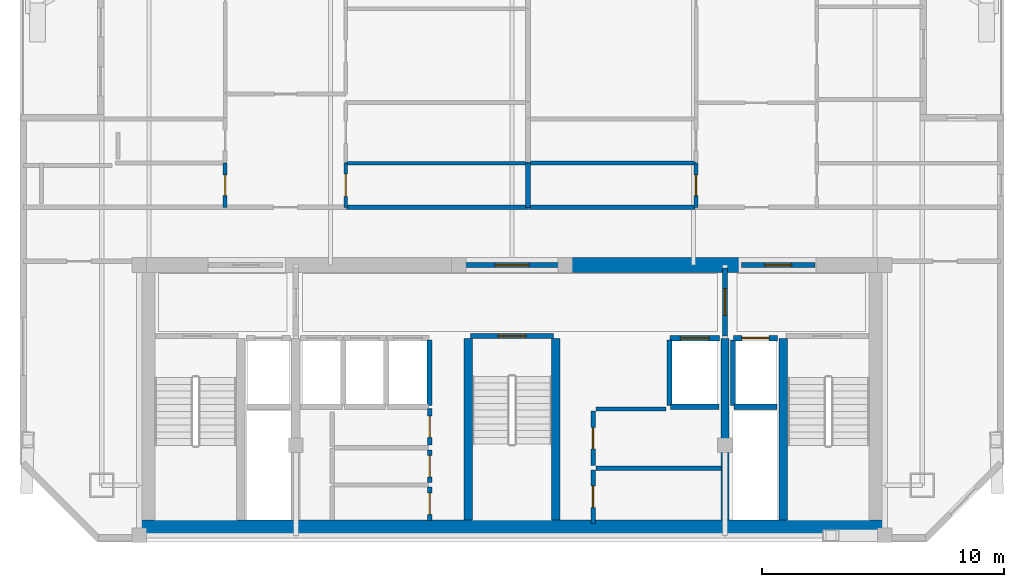
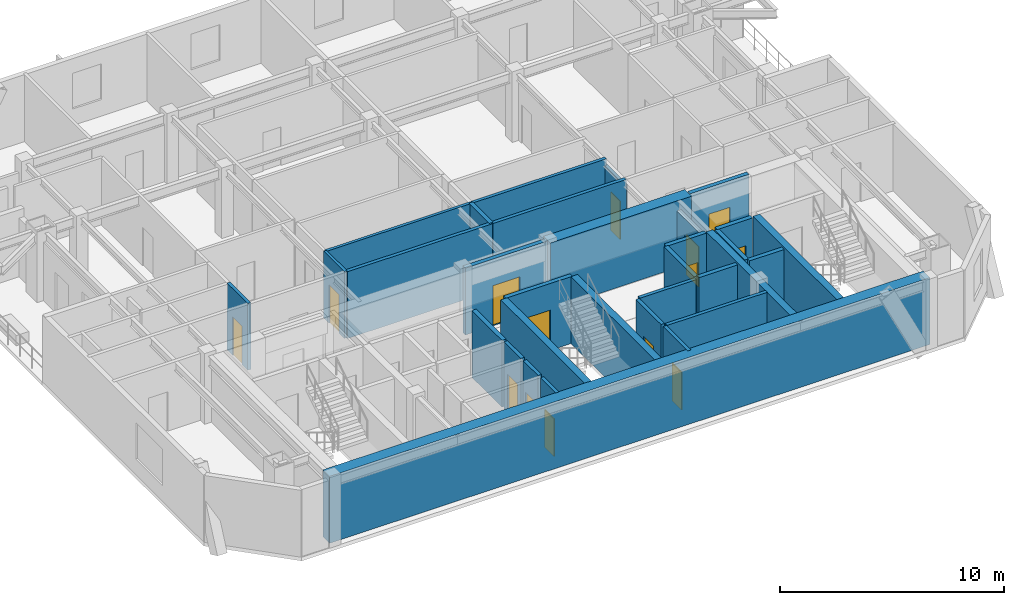
# One storey, part 3 of 8: 32 walls, 14 doors, 14 openings.
"""IFC4 building model written with IfcOpenShell, lengths in metres."""

import ifcopenshell
import ifcopenshell.guid

model = None  # the IFC model being written
_history = None  # IfcOwnerHistory: only IFC2X3 demands one
_inside = {}  # id of a spatial element -> (the spatial element, [elements in it])
_under = {}  # id of a project, library or spatial element -> (it, [spatial elements below it])
_declared = {}  # id of a project -> (the project, [libraries it declares])
_typed = {}  # id of a type object -> (the type object, [elements of that type])
_made_of = {}  # id of a material, layer set ... -> (it, [elements and type objects made of it])


def new_model(schema):
    """Start an empty IFC model of exactly this schema.

    Asked for "IFC4X3", IfcOpenShell would pick the latest addendum, in which some entities
    have other attributes; the version numbers below select the first issue.
    IFC2X3 requires an IfcOwnerHistory on every rooted entity: one is made here for all.
    """
    global model, _history
    if schema == "IFC4X3":
        model = ifcopenshell.file(schema_version=(4, 3, 0, 0))
    else:
        model = ifcopenshell.file(schema=schema)
    _inside.clear()
    _under.clear()
    _declared.clear()
    _typed.clear()
    _made_of.clear()
    _history = None
    if model.schema == "IFC2X3":
        org = make("IfcOrganization", Name="unknown")
        user = make(
            "IfcPersonAndOrganization",
            ThePerson=make("IfcPerson", FamilyName="unknown"),
            TheOrganization=org,
        )
        app = make(
            "IfcApplication",
            ApplicationDeveloper=org,
            Version="unknown",
            ApplicationFullName="unknown",
            ApplicationIdentifier="unknown",
        )
        _history = make(
            "IfcOwnerHistory",
            OwningUser=user,
            OwningApplication=app,
            ChangeAction="ADDED",
            CreationDate=0,
        )
    return model


def make(cls, **values):
    """One entity of the class cls with the attributes given. An attribute that is None is left unset."""
    return model.create_entity(
        cls, **{name: value for name, value in values.items() if value is not None}
    )


def rooted(cls, **values):
    """An entity with a GlobalId (a new one), such as an element, a storey or a relation."""
    return make(cls, GlobalId=ifcopenshell.guid.new(), OwnerHistory=_history, **values)


def si_unit(unit_type, name, prefix=None):
    """IfcSIUnit, for example si_unit("LENGTHUNIT", "METRE", prefix="MILLI")."""
    return make("IfcSIUnit", UnitType=unit_type, Prefix=prefix, Name=name)


def assignment(units):
    """IfcUnitAssignment: the units of a project."""
    return None if units is None else make("IfcUnitAssignment", Units=units)


def point(xyz):
    """IfcCartesianPoint."""
    return None if xyz is None else make("IfcCartesianPoint", Coordinates=xyz)


def direction(xyz):
    """IfcDirection."""
    return None if xyz is None else make("IfcDirection", DirectionRatios=xyz)


def frame(location, z_axis=None, x_axis=None):
    """IfcAxis2Placement3D, a coordinate frame: its origin and axes. An axis left out is left unset."""
    return make(
        "IfcAxis2Placement3D",
        Location=point(location),
        Axis=direction(z_axis),
        RefDirection=direction(x_axis),
    )


def frame_2d(location, x_axis=None):
    """IfcAxis2Placement2D, a coordinate frame in the plane: its origin and x axis."""
    return make(
        "IfcAxis2Placement2D", Location=point(location), RefDirection=direction(x_axis)
    )


def origin():
    """The frame at (0, 0, 0) with its axes left unset."""
    return frame((0.0, 0.0, 0.0))


def place(relative_to, where):
    """IfcLocalPlacement: puts the frame where relative to a parent placement (None: the world)."""
    return make(
        "IfcLocalPlacement", PlacementRelTo=relative_to, RelativePlacement=where
    )


def context(
    kind, dimensions, precision=None, world=None, true_north=None, identifier=None
):
    """IfcGeometricRepresentationContext, for example the 3D "Model" context."""
    return make(
        "IfcGeometricRepresentationContext",
        ContextIdentifier=identifier,
        ContextType=kind,
        CoordinateSpaceDimension=dimensions,
        Precision=precision,
        WorldCoordinateSystem=world,
        TrueNorth=true_north,
    )


def subcontext(parent, identifier, kind, view, scale=None):
    """IfcGeometricRepresentationSubContext, for example "Body" below "Model"."""
    return make(
        "IfcGeometricRepresentationSubContext",
        ContextIdentifier=identifier,
        ContextType=kind,
        ParentContext=parent,
        TargetScale=scale,
        TargetView=view,
    )


def project(units=None, contexts=None):
    """IfcProject with its units and contexts."""
    return rooted(
        "IfcProject",
        Name="project",
        RepresentationContexts=contexts,
        UnitsInContext=assignment(units),
    )


def spatial(cls, under=None, at=None, **own):
    """A site, building, storey or space (cls), placed at a placement, below another one or the project."""
    s = rooted(cls, ObjectPlacement=at, **own)
    if under is not None:
        _under.setdefault(under.id(), (under, []))[1].append(s)
    return s


def profile(cls, at=None, kind="AREA", **sizes):
    """A parametric profile (cls). Its sizes go by their IFC names, for example OverallWidth=200.0."""
    return make(cls, ProfileType=kind, Position=at, **sizes)


def rectangle(**sizes):
    """IfcRectangleProfileDef."""
    return profile("IfcRectangleProfileDef", **sizes)


def extrude(swept, where, along, depth):
    """IfcExtrudedAreaSolid: the profile swept, set in the frame where, extruded along a direction by depth."""
    return make(
        "IfcExtrudedAreaSolid",
        SweptArea=swept,
        Position=where,
        ExtrudedDirection=direction(along),
        Depth=depth,
    )


def shape(context_of_items, identifier, shape_type, items):
    """IfcShapeRepresentation: the items that make up one representation, for example the "Body"."""
    return make(
        "IfcShapeRepresentation",
        ContextOfItems=context_of_items,
        RepresentationIdentifier=identifier,
        RepresentationType=shape_type,
        Items=items,
    )


def material(Name=None, Category=None):
    """IfcMaterial."""
    return make("IfcMaterial", Name=Name, Category=Category)


def layer(
    of_material, thickness, ventilated=None, Name=None, Category=None, Priority=None
):
    """IfcMaterialLayer: one layer of a wall or slab, of a material (None: an air gap)."""
    return make(
        "IfcMaterialLayer",
        Material=of_material,
        LayerThickness=thickness,
        IsVentilated=ventilated,
        Name=Name,
        Category=Category,
        Priority=Priority,
    )


def layer_set(layers, Name=None):
    """IfcMaterialLayerSet."""
    return make("IfcMaterialLayerSet", MaterialLayers=layers, LayerSetName=Name)


def made_of(thing, what):
    """Note that an element or type object is made of a material, layer set ...; save() writes the relation."""
    if what is not None:
        _made_of.setdefault(what.id(), (what, []))[1].append(thing)
    return thing


def type_object(cls, material=None, **own):
    """A type object (cls), such as IfcWallType, which elements share."""
    return made_of(rooted(cls, **own), material)


def element(
    cls,
    number,
    at=None,
    inside=None,
    cuts=None,
    type_object=None,
    material=None,
    context=None,
    identifier="Body",
    shape_type=None,
    held_by="IfcProductDefinitionShape",
    body=None,
    shapes=None,
    **own,
):
    """One element of the class cls, such as IfcWall. Its Tag is "e" and its number.

    at: its placement. inside: the storey or other place that contains it. cuts: it is an
    opening in that element (IfcRelVoidsElement). A single representation is given by context,
    identifier, shape_type and body (its items); several are given by shapes. held_by: the class
    of the entity that holds the representations. save() writes the other relations.
    """
    e = rooted(cls, Tag="e%d" % number, ObjectPlacement=at, **own)
    if body is not None:
        shapes = [shape(context, identifier, shape_type, body)]
    if shapes is not None:
        e.Representation = make(held_by, Representations=shapes)
    if inside is not None:
        _inside.setdefault(inside.id(), (inside, []))[1].append(e)
    if cuts is not None:
        rooted(
            "IfcRelVoidsElement", RelatingBuildingElement=cuts, RelatedOpeningElement=e
        )
    if type_object is not None:
        _typed.setdefault(type_object.id(), (type_object, []))[1].append(e)
    return made_of(e, material)


def fill(opening, filler):
    """IfcRelFillsElement: the door or window that sits in an opening."""
    return rooted(
        "IfcRelFillsElement",
        RelatingOpeningElement=opening,
        RelatedBuildingElement=filler,
    )


def aggregate(whole, parts):
    """IfcRelAggregates: a whole, such as a stair, and the parts it consists of."""
    return rooted("IfcRelAggregates", RelatingObject=whole, RelatedObjects=parts)


def save(model, path):
    """Write the relations noted so far, then the file.

    IfcRelAggregates (storeys below a building ...), IfcRelContainedInSpatialStructure (elements
    in a storey), IfcRelDefinesByType, IfcRelAssociatesMaterial and IfcRelDeclares: one each for
    every whole, place, type object, material and project.
    """
    for whole, parts in _under.values():
        aggregate(whole, parts)
    for where, things in _inside.values():
        rooted(
            "IfcRelContainedInSpatialStructure",
            RelatedElements=things,
            RelatingStructure=where,
        )
    for kind, things in _typed.values():
        rooted("IfcRelDefinesByType", RelatedObjects=things, RelatingType=kind)
    for what, things in _made_of.values():
        rooted("IfcRelAssociatesMaterial", RelatedObjects=things, RelatingMaterial=what)
    for by, libraries in _declared.values():
        rooted("IfcRelDeclares", RelatingContext=by, RelatedDefinitions=libraries)
    model.write(path)


model = new_model("IFC4")

# Units and contexts
model_context = context("Model", 3, precision=1e-05, world=origin(), true_north=direction((0.0, 1.0)))
body_context = subcontext(model_context, "Body", "Model", "MODEL_VIEW")
ifc_project = project(units=[si_unit("LENGTHUNIT", "METRE"), si_unit("AREAUNIT", "SQUARE_METRE"), si_unit("VOLUMEUNIT", "CUBIC_METRE"), si_unit("PLANEANGLEUNIT", "RADIAN"), si_unit("MASSUNIT", "GRAM", prefix="KILO")], contexts=[model_context])

# Site, building, storey
site_placement = place(None, origin())
site = spatial("IfcSite", under=ifc_project, at=site_placement, CompositionType="ELEMENT")
building_placement = place(site_placement, origin())
building = spatial("IfcBuilding", under=site, at=building_placement, Name="Ventersveld Concourse Tower", CompositionType="ELEMENT")
storey_placement = place(building_placement, frame((0.0, 0.0, 284.89990234375)))
storey = spatial("IfcBuildingStorey", under=building, at=storey_placement, Name="L70", CompositionType="ELEMENT", Elevation=284.89990234375)

# Walls
ifc_material_1 = material(Name="Concrete C50/60", Category="concrete")
ifc_layer_1 = layer(ifc_material_1, 0.35009765625)
ifc_layer_set_1 = layer_set([ifc_layer_1], Name="Concrete C50/60")
wall_type_1 = type_object("IfcWallType", Name="WL-CORE-350U", PredefinedType="SHEAR", material=ifc_layer_set_1)
for number, where, z_axis, x_axis, name in (
    (1, (26.93994140625, 0.919921875, 0.0), (0.0, 0.0, 1.0), (0.0, 1.0, 0.0), "L70 Core Internal Shear Web W-ST3-W"),
    (2, (30.56005859375, 0.919921875, 0.0), (0.0, 0.0, 1.0), (0.0, 1.0, 0.0), "L70 Core Internal Shear Web W-ST3-E"),
    (3, (37.550048828125, 0.919921875, 0.0), (0.0, 0.0, 1.0), (0.0, 1.0, 0.0), "L70 Core Internal Shear Web W-SVL-W"),
    (4, (39.9599609375, 0.919921875, 0.0), (0.0, 0.0, 1.0), (0.0, 1.0, 0.0), "L70 Core Internal Shear Web W-ST2-W"),
):
    element("IfcWall", number, at=place(storey_placement, frame(where, z_axis=z_axis, x_axis=x_axis)), inside=storey, type_object=wall_type_1, Name=name, PredefinedType="SHEAR", context=body_context, shape_type="SweptSolid", body=[
        extrude(rectangle(XDim=7.5, YDim=0.35009765625, at=frame_2d((3.75, 0.0))), origin(), (0.0, 0.0, 1.0), 3.650146484375),
    ])
ifc_layer_2 = layer(ifc_material_1, 0.60009765625)
ifc_layer_set_2 = layer_set([ifc_layer_2], Name="Concrete C50/60")
wall_type_2 = type_object("IfcWallType", Name="WL-CORE-600", PredefinedType="SHEAR", material=ifc_layer_set_2)
wall_1_placement = place(storey_placement, frame((13.25, 0.6201171875, 0.0), z_axis=(0.0, 0.0, 1.0), x_axis=(1.0, 0.0, 0.0)))
element("IfcWall", 5, at=wall_1_placement, inside=storey, type_object=wall_type_2, Name="L70 Rear Core South Shear Wall", PredefinedType="SHEAR", context=body_context, shape_type="SweptSolid", body=[
    extrude(rectangle(XDim=31.0, YDim=0.60009765625, at=frame_2d((15.5, 0.0))), origin(), (0.0, 0.0, 1.0), 3.650146484375),
])
wall_2_placement = place(storey_placement, frame((30.89990234375, 11.449951171875, 0.0), z_axis=(0.0, 0.0, 1.0), x_axis=(1.0, 0.0, 0.0)))
element("IfcWall", 6, at=wall_2_placement, inside=storey, type_object=wall_type_2, Name="L70 Rear Core North Shear Wall NMR", PredefinedType="SHEAR", context=body_context, shape_type="SweptSolid", body=[
    extrude(rectangle(XDim=7.300048828125, YDim=0.60009765625, at=frame_2d((3.64990234375, 0.0))), origin(), (0.0, 0.0, 1.0), 3.650146484375),
])

# Wall, opening, door
ifc_material_2 = material(Name="Fire-rated autoclaved aerated masonry blockwork", Category="masonry")
ifc_layer_3 = layer(ifc_material_2, 0.179931640625)
ifc_layer_set_3 = layer_set([ifc_layer_3], Name="Fire-rated autoclaved aerated masonry blockwork")
wall_type_3 = type_object("IfcWallType", Name="WL-CORR-180", PredefinedType="PARTITIONING", material=ifc_layer_set_3)
wall_3_placement = place(storey_placement, frame((25.35009765625, 0.89990234375, 0.0), z_axis=(0.0, 0.0, 1.0), x_axis=(0.0, 1.0, 0.0)))
wall_3 = element("IfcWall", 7, at=wall_3_placement, inside=storey, type_object=wall_type_3, Name="L70 Core Passage Wall SP-L70-RECB1S", PredefinedType="PARTITIONING", context=body_context, shape_type="SweptSolid", body=[
    extrude(rectangle(XDim=1.3701171875, YDim=0.179931640625, at=frame_2d((0.68505859375, 0.0))), origin(), (0.0, 0.0, 1.0), 3.650146484375),
])
opening_1_placement = place(wall_3_placement, frame((0.2451171875, 0.0, 0.0)))
opening_1 = element("IfcOpeningElement", 8, at=opening_1_placement, cuts=wall_3, Name="Opening FD5", PredefinedType="OPENING", context=body_context, shape_type="SweptSolid", body=[
    extrude(rectangle(XDim=0.8798828125, YDim=2.050048828125, at=frame_2d((0.43994140625, 1.02490234375))), frame((0.0, 0.10009765625, 0.0), z_axis=(0.0, -1.0, 0.0), x_axis=(1.0, 0.0, 0.0)), (0.0, 0.0, 1.0), 0.199951171875),
])
ifc_material_3 = material(Name="Galvanised painted steel", Category="steel")
door_type_1 = type_object("IfcDoorType", Name="DR-RISER-088", OperationType="NOTDEFINED", PredefinedType="DOOR", material=ifc_material_3)
door_1_placement = place(opening_1_placement, origin())
door_1 = element("IfcDoor", 9, at=door_1_placement, inside=storey, type_object=door_type_1, Name="L70 Core Room Door L70 Reclaimed Core Wine Cellar Store (CD-L70-3259)", OperationType="SINGLE_SWING_RIGHT", OverallHeight=2.050048828125, OverallWidth=0.8798828125, PredefinedType="DOOR", context=body_context, shape_type="SweptSolid", body=[
    extrude(rectangle(XDim=0.8798828125, YDim=2.050048828125, at=frame_2d((0.43994140625, 1.02490234375))), frame((0.0, 0.02490234375, 0.0), z_axis=(0.0, -1.0, 0.0), x_axis=(1.0, 0.0, 0.0)), (0.0, 0.0, 1.0), 0.050048828125),
])
fill(opening_1, door_1)

wall_4_placement = place(storey_placement, frame((25.35009765625, 2.469970703125, 0.0), z_axis=(0.0, 0.0, 1.0), x_axis=(0.0, 1.0, 0.0)))
wall_4 = element("IfcWall", 10, at=wall_4_placement, inside=storey, type_object=wall_type_3, Name="L70 Core Passage Wall SP-L70-RECB1M", PredefinedType="PARTITIONING", context=body_context, shape_type="SweptSolid", body=[
    extrude(rectangle(XDim=1.340087890625, YDim=0.179931640625, at=frame_2d((0.669921875, 0.0))), origin(), (0.0, 0.0, 1.0), 3.650146484375),
])
opening_2_placement = place(wall_4_placement, frame((0.22998046875, 0.0, 0.0)))
opening_2 = element("IfcOpeningElement", 11, at=opening_2_placement, cuts=wall_4, Name="Opening FD5", PredefinedType="OPENING", context=body_context, shape_type="SweptSolid", body=[
    extrude(rectangle(XDim=0.8798828125, YDim=2.050048828125, at=frame_2d((0.43994140625, 1.02490234375))), frame((0.0, 0.10009765625, 0.0), z_axis=(0.0, -1.0, 0.0), x_axis=(1.0, 0.0, 0.0)), (0.0, 0.0, 1.0), 0.199951171875),
])
door_2_placement = place(opening_2_placement, origin())
door_2 = element("IfcDoor", 12, at=door_2_placement, inside=storey, type_object=door_type_1, Name="L70 Core Room Door L70 Reclaimed Core Archive Store (CD-L70-3260)", OperationType="SINGLE_SWING_LEFT", OverallHeight=2.050048828125, OverallWidth=0.8798828125, PredefinedType="DOOR", context=body_context, shape_type="SweptSolid", body=[
    extrude(rectangle(XDim=0.8798828125, YDim=2.050048828125, at=frame_2d((0.43994140625, 1.02490234375))), frame((0.0, 0.02490234375, 0.0), z_axis=(0.0, -1.0, 0.0), x_axis=(1.0, 0.0, 0.0)), (0.0, 0.0, 1.0), 0.050048828125),
])
fill(opening_2, door_2)

wall_5_placement = place(storey_placement, frame((25.35009765625, 4.010009765625, 0.0), z_axis=(0.0, 0.0, 1.0), x_axis=(0.0, 1.0, 0.0)))
wall_5 = element("IfcWall", 13, at=wall_5_placement, inside=storey, type_object=wall_type_3, Name="L70 Core Passage Wall SP-L70-RECB1N", PredefinedType="PARTITIONING", context=body_context, shape_type="SweptSolid", body=[
    extrude(rectangle(XDim=1.510009765625, YDim=0.179931640625, at=frame_2d((0.7548828125, 0.0))), origin(), (0.0, 0.0, 1.0), 3.650146484375),
])
opening_3_placement = place(wall_5_placement, frame((0.31494140625, 0.0, 0.0)))
opening_3 = element("IfcOpeningElement", 14, at=opening_3_placement, cuts=wall_5, Name="Opening FD5", PredefinedType="OPENING", context=body_context, shape_type="SweptSolid", body=[
    extrude(rectangle(XDim=0.8798828125, YDim=2.050048828125, at=frame_2d((0.43994140625, 1.02490234375))), frame((0.0, 0.10009765625, 0.0), z_axis=(0.0, -1.0, 0.0), x_axis=(1.0, 0.0, 0.0)), (0.0, 0.0, 1.0), 0.199951171875),
])
door_3_placement = place(opening_3_placement, origin())
door_3 = element("IfcDoor", 15, at=door_3_placement, inside=storey, type_object=door_type_1, Name="L70 Core Room Door L70 Reclaimed Core Pram and Cycle Store (CD-L70-3261)", OperationType="SINGLE_SWING_RIGHT", OverallHeight=2.050048828125, OverallWidth=0.8798828125, PredefinedType="DOOR", context=body_context, shape_type="SweptSolid", body=[
    extrude(rectangle(XDim=0.8798828125, YDim=2.050048828125, at=frame_2d((0.43994140625, 1.02490234375))), frame((0.0, 0.02490234375, 0.0), z_axis=(0.0, -1.0, 0.0), x_axis=(1.0, 0.0, 0.0)), (0.0, 0.0, 1.0), 0.050048828125),
])
fill(opening_3, door_3)

wall_6_placement = place(storey_placement, frame((32.10009765625, 0.780029296875, 0.0), z_axis=(0.0, 0.0, 1.0), x_axis=(0.0, 1.0, 0.0)))
wall_6 = element("IfcWall", 16, at=wall_6_placement, inside=storey, type_object=wall_type_3, Name="L70 Core Passage Wall SP-L70-RECB2S", PredefinedType="PARTITIONING", context=body_context, shape_type="SweptSolid", body=[
    extrude(rectangle(XDim=2.199951171875, YDim=0.179931640625, at=frame_2d((1.10009765625, 0.0))), origin(), (0.0, 0.0, 1.0), 3.650146484375),
])
opening_4_placement = place(wall_6_placement, frame((0.659912109375, 0.0, 0.0)))
opening_4 = element("IfcOpeningElement", 17, at=opening_4_placement, cuts=wall_6, Name="Opening FD5", PredefinedType="OPENING", context=body_context, shape_type="SweptSolid", body=[
    extrude(rectangle(XDim=0.8798828125, YDim=2.050048828125, at=frame_2d((0.43994140625, 1.02490234375))), frame((0.0, 0.10009765625, 0.0), z_axis=(0.0, -1.0, 0.0), x_axis=(1.0, 0.0, 0.0)), (0.0, 0.0, 1.0), 0.199951171875),
])
door_4_placement = place(opening_4_placement, origin())
door_4 = element("IfcDoor", 18, at=door_4_placement, inside=storey, type_object=door_type_1, Name="L70 Core Room Door L70 Reclaimed Core Quiet Library Pod (CD-L70-3262)", OperationType="SINGLE_SWING_LEFT", OverallHeight=2.050048828125, OverallWidth=0.8798828125, PredefinedType="DOOR", context=body_context, shape_type="SweptSolid", body=[
    extrude(rectangle(XDim=0.8798828125, YDim=2.050048828125, at=frame_2d((0.43994140625, 1.02490234375))), frame((0.0, 0.02490234375, 0.0), z_axis=(0.0, -1.0, 0.0), x_axis=(1.0, 0.0, 0.0)), (0.0, 0.0, 1.0), 0.050048828125),
])
fill(opening_4, door_4)

# Wall
wall_7_placement = place(storey_placement, frame((32.219970703125, 3.06005859375, 0.0), z_axis=(0.0, 0.0, 1.0), x_axis=(1.0, 0.0, 0.0)))
element("IfcWall", 19, at=wall_7_placement, inside=storey, type_object=wall_type_3, Name="L70 Core Top Wall SP-L70-RECB2S", PredefinedType="PARTITIONING", context=body_context, shape_type="SweptSolid", body=[
    extrude(rectangle(XDim=5.179931640625, YDim=0.179931640625, at=frame_2d((2.58984375, 0.0))), origin(), (0.0, 0.0, 1.0), 3.650146484375),
])

# Wall, opening, door
wall_8_placement = place(storey_placement, frame((32.10009765625, 3.159912109375, 0.0), z_axis=(0.0, 0.0, 1.0), x_axis=(0.0, 1.0, 0.0)))
wall_8 = element("IfcWall", 20, at=wall_8_placement, inside=storey, type_object=wall_type_3, Name="L70 Core Passage Wall SP-L70-RECB2N", PredefinedType="PARTITIONING", context=body_context, shape_type="SweptSolid", body=[
    extrude(rectangle(XDim=2.260009765625, YDim=0.179931640625, at=frame_2d((1.1298828125, 0.0))), origin(), (0.0, 0.0, 1.0), 3.650146484375),
])
opening_5_placement = place(wall_8_placement, frame((0.68994140625, 0.0, 0.0)))
opening_5 = element("IfcOpeningElement", 21, at=opening_5_placement, cuts=wall_8, Name="Opening FD5", PredefinedType="OPENING", context=body_context, shape_type="SweptSolid", body=[
    extrude(rectangle(XDim=0.8798828125, YDim=2.050048828125, at=frame_2d((0.43994140625, 1.02490234375))), frame((0.0, 0.10009765625, 0.0), z_axis=(0.0, -1.0, 0.0), x_axis=(1.0, 0.0, 0.0)), (0.0, 0.0, 1.0), 0.199951171875),
])
door_5_placement = place(opening_5_placement, origin())
door_5 = element("IfcDoor", 22, at=door_5_placement, inside=storey, type_object=door_type_1, Name="L70 Core Room Door L70 Reclaimed Core Music Practice Room (CD-L70-3263)", OperationType="SINGLE_SWING_RIGHT", OverallHeight=2.050048828125, OverallWidth=0.8798828125, PredefinedType="DOOR", context=body_context, shape_type="SweptSolid", body=[
    extrude(rectangle(XDim=0.8798828125, YDim=2.050048828125, at=frame_2d((0.43994140625, 1.02490234375))), frame((0.0, 0.02490234375, 0.0), z_axis=(0.0, -1.0, 0.0), x_axis=(1.0, 0.0, 0.0)), (0.0, 0.0, 1.0), 0.050048828125),
])
fill(opening_5, door_5)

# Walls
wall_9_placement = place(storey_placement, frame((32.219970703125, 5.5, 0.0), z_axis=(0.0, 0.0, 1.0), x_axis=(1.0, 0.0, 0.0)))
element("IfcWall", 23, at=wall_9_placement, inside=storey, type_object=wall_type_3, Name="L70 Core Top Wall SP-L70-RECB2N", PredefinedType="PARTITIONING", context=body_context, shape_type="SweptSolid", body=[
    extrude(rectangle(XDim=2.900146484375, YDim=0.179931640625, at=frame_2d((1.4501953125, 0.0))), origin(), (0.0, 0.0, 1.0), 3.650146484375),
])
wall_10_placement = place(storey_placement, frame((21.91748046875, 13.830078125, 0.0), z_axis=(0.0, 0.0, 1.0), x_axis=(1.0, 0.0, 0.0)))
element("IfcWall", 24, at=wall_10_placement, inside=storey, type_object=wall_type_3, Name="L70 Interior Partition SP-L70-COR-SP-L70-70N1-KIT", PredefinedType="PARTITIONING", context=body_context, shape_type="SweptSolid", body=[
    extrude(rectangle(XDim=7.491943359375, YDim=0.179931640625, at=frame_2d((3.74609375, 0.0))), origin(), (0.0, 0.0, 1.0), 3.650146484375),
])
wall_11_placement = place(storey_placement, frame((29.439453125, 13.830078125, 0.0), z_axis=(0.0, 0.0, 1.0), x_axis=(1.0, 0.0, 0.0)))
element("IfcWall", 25, at=wall_11_placement, inside=storey, type_object=wall_type_3, Name="L70 Interior Partition SP-L70-COR-SP-L70-70N2-BATH", PredefinedType="PARTITIONING", context=body_context, shape_type="SweptSolid", body=[
    extrude(rectangle(XDim=6.880615234375, YDim=0.179931640625, at=frame_2d((3.4404296875, 0.0))), origin(), (0.0, 0.0, 1.0), 3.650146484375),
])
ifc_layer_4 = layer(ifc_material_2, 0.199951171875)
ifc_layer_set_4 = layer_set([ifc_layer_4], Name="Fire-rated autoclaved aerated masonry blockwork")
wall_type_4 = type_object("IfcWallType", Name="WL-DEMISE-200", PredefinedType="PARTITIONING", material=ifc_layer_set_4)
wall_12_placement = place(storey_placement, frame((29.404541015625, 13.824951171875, 0.0), z_axis=(0.0, 0.0, 1.0), x_axis=(0.0, 1.0, 0.0)))
element("IfcWall", 26, at=wall_12_placement, inside=storey, type_object=wall_type_4, Name="L70 Interior Partition SP-L70-70N1-KIT-SP-L70-70N2-BATH", PredefinedType="PARTITIONING", context=body_context, shape_type="SweptSolid", body=[
    extrude(rectangle(XDim=1.840087890625, YDim=0.199951171875, at=frame_2d((0.919921875, 0.0))), origin(), (0.0, 0.0, 1.0), 3.650146484375),
])
ifc_layer_5 = layer(ifc_material_2, 0.219970703125)
ifc_layer_set_5 = layer_set([ifc_layer_5], Name="Fire-rated autoclaved aerated masonry blockwork")
wall_type_5 = type_object("IfcWallType", Name="WL-HOIST-220", PredefinedType="SOLIDWALL", material=ifc_layer_set_5)
wall_13_placement = place(storey_placement, frame((37.919921875, 5.590087890625, 0.0), z_axis=(0.0, 0.0, 1.0), x_axis=(1.0, 0.0, 0.0)))
element("IfcWall", 27, at=wall_13_placement, inside=storey, type_object=wall_type_5, Name="L70 Lift Hoistway Back Wall FFL-02", PredefinedType="SOLIDWALL", context=body_context, shape_type="SweptSolid", body=[
    extrude(rectangle(XDim=1.780029296875, YDim=0.219970703125, at=frame_2d((0.89013671875, 0.0))), origin(), (0.0, 0.0, 1.0), 3.650146484375),
])
wall_14_placement = place(storey_placement, frame((37.8798828125, 5.64990234375, 0.0), z_axis=(0.0, 0.0, 1.0), x_axis=(0.0, 1.0, 0.0)))
element("IfcWall", 28, at=wall_14_placement, inside=storey, type_object=wall_type_5, Name="L70 Lift Hoistway Side Wall FFL-02W", PredefinedType="SOLIDWALL", context=body_context, shape_type="SweptSolid", body=[
    extrude(rectangle(XDim=2.7001953125, YDim=0.219970703125, at=frame_2d((1.35009765625, 0.0))), origin(), (0.0, 0.0, 1.0), 3.650146484375),
])

# Wall, opening, door
wall_15_placement = place(storey_placement, frame((37.89990234375, 8.429931640625, 0.0), z_axis=(0.0, 0.0, 1.0), x_axis=(1.0, 0.0, 0.0)))
wall_15 = element("IfcWall", 29, at=wall_15_placement, inside=storey, type_object=wall_type_5, Name="L70 Lift Hoistway Front Wall FFL-02", PredefinedType="SOLIDWALL", context=body_context, shape_type="SweptSolid", body=[
    extrude(rectangle(XDim=1.820068359375, YDim=0.219970703125, at=frame_2d((0.91015625, 0.0))), origin(), (0.0, 0.0, 1.0), 3.650146484375),
])
opening_6_placement = place(wall_15_placement, frame((0.35009765625, 0.0, 0.0)))
opening_6 = element("IfcOpeningElement", 30, at=opening_6_placement, cuts=wall_15, Name="Opening LD1", PredefinedType="OPENING", context=body_context, shape_type="SweptSolid", body=[
    extrude(rectangle(XDim=1.1201171875, YDim=2.25, at=frame_2d((0.56005859375, 1.125))), frame((0.0, 0.1201171875, 0.0), z_axis=(0.0, -1.0, 0.0), x_axis=(1.0, 0.0, 0.0)), (0.0, 0.0, 1.0), 0.239990234375),
])
ifc_material_4 = material(Name="Brushed stainless steel 316", Category="steel")
door_type_2 = type_object("IfcDoorType", Name="LD-FF-112", OperationType="SLIDING_TO_LEFT", PredefinedType="DOOR", material=ifc_material_4)
door_6_placement = place(opening_6_placement, origin())
door_6 = element("IfcDoor", 31, at=door_6_placement, inside=storey, type_object=door_type_2, Name="L70 Lift landing door FFL-02 (LD-L70-FFL-02)", OperationType="SLIDING_TO_LEFT", OverallHeight=2.25, OverallWidth=1.1201171875, PredefinedType="DOOR", context=body_context, shape_type="SweptSolid", body=[
    extrude(rectangle(XDim=1.1201171875, YDim=2.25, at=frame_2d((0.56005859375, 1.125))), frame((0.0, 0.02490234375, 0.0), z_axis=(0.0, -1.0, 0.0), x_axis=(1.0, 0.0, 0.0)), (0.0, 0.0, 1.0), 0.050048828125),
])
fill(opening_6, door_6)

# Walls
wall_16_placement = place(storey_placement, frame((35.300048828125, 5.590087890625, 0.0), z_axis=(0.0, 0.0, 1.0), x_axis=(1.0, 0.0, 0.0)))
element("IfcWall", 32, at=wall_16_placement, inside=storey, type_object=wall_type_5, Name="L70 Lift Hoistway Back Wall SVL-01", PredefinedType="SOLIDWALL", context=body_context, shape_type="SweptSolid", body=[
    extrude(rectangle(XDim=2.0, YDim=0.219970703125, at=frame_2d((1.0, 0.0))), origin(), (0.0, 0.0, 1.0), 3.650146484375),
])
wall_17_placement = place(storey_placement, frame((35.260009765625, 5.64990234375, 0.0), z_axis=(0.0, 0.0, 1.0), x_axis=(0.0, 1.0, 0.0)))
element("IfcWall", 33, at=wall_17_placement, inside=storey, type_object=wall_type_5, Name="L70 Lift Hoistway Side Wall SVL-01W", PredefinedType="SOLIDWALL", context=body_context, shape_type="SweptSolid", body=[
    extrude(rectangle(XDim=2.7001953125, YDim=0.219970703125, at=frame_2d((1.35009765625, 0.0))), origin(), (0.0, 0.0, 1.0), 3.650146484375),
])

# Wall, opening, door
wall_18_placement = place(storey_placement, frame((35.280029296875, 8.429931640625, 0.0), z_axis=(0.0, 0.0, 1.0), x_axis=(1.0, 0.0, 0.0)))
wall_18 = element("IfcWall", 34, at=wall_18_placement, inside=storey, type_object=wall_type_5, Name="L70 Lift Hoistway Front Wall SVL-01", PredefinedType="SOLIDWALL", context=body_context, shape_type="SweptSolid", body=[
    extrude(rectangle(XDim=2.0400390625, YDim=0.219970703125, at=frame_2d((1.02001953125, 0.0))), origin(), (0.0, 0.0, 1.0), 3.650146484375),
])
opening_7_placement = place(wall_18_placement, frame((0.429931640625, 0.0, 0.0)))
opening_7 = element("IfcOpeningElement", 35, at=opening_7_placement, cuts=wall_18, Name="Opening LD2", PredefinedType="OPENING", context=body_context, shape_type="SweptSolid", body=[
    extrude(rectangle(XDim=1.179931640625, YDim=2.199951171875, at=frame_2d((0.58984375, 1.10009765625))), frame((0.0, 0.1201171875, 0.0), z_axis=(0.0, -1.0, 0.0), x_axis=(1.0, 0.0, 0.0)), (0.0, 0.0, 1.0), 0.239990234375),
])
door_type_3 = type_object("IfcDoorType", Name="LD-PAX-118", OperationType="SLIDING_TO_LEFT", PredefinedType="DOOR", material=ifc_material_4)
door_7_placement = place(opening_7_placement, origin())
door_7 = element("IfcDoor", 36, at=door_7_placement, inside=storey, type_object=door_type_3, Name="L70 Lift landing door SVL-01 (LD-L70-SVL-01)", OperationType="SLIDING_TO_RIGHT", OverallHeight=2.199951171875, OverallWidth=1.179931640625, PredefinedType="DOOR", context=body_context, shape_type="SweptSolid", body=[
    extrude(rectangle(XDim=1.179931640625, YDim=2.199951171875, at=frame_2d((0.58984375, 1.10009765625))), frame((0.0, 0.02490234375, 0.0), z_axis=(0.0, -1.0, 0.0), x_axis=(1.0, 0.0, 0.0)), (0.0, 0.0, 1.0), 0.050048828125),
])
fill(opening_7, door_7)

# Wall
wall_19_placement = place(storey_placement, frame((25.340087890625, 5.64990234375, 0.0), z_axis=(0.0, 0.0, 1.0), x_axis=(0.0, 1.0, 0.0)))
element("IfcWall", 37, at=wall_19_placement, inside=storey, type_object=wall_type_5, Name="L70 Lift Hoistway Side Wall PH-03E", PredefinedType="SOLIDWALL", context=body_context, shape_type="SweptSolid", body=[
    extrude(rectangle(XDim=2.7001953125, YDim=0.219970703125, at=frame_2d((1.35009765625, 0.0))), origin(), (0.0, 0.0, 1.0), 3.650146484375),
])

# Wall, opening, door
wall_20_placement = place(storey_placement, frame((27.0400390625, 8.52001953125, 0.0), z_axis=(0.0, 0.0, 1.0), x_axis=(1.0, 0.0, 0.0)))
wall_20 = element("IfcWall", 38, at=wall_20_placement, inside=storey, type_object=wall_type_5, Name="L70 Escape Stair ST03 Fire Wall", PredefinedType="SOLIDWALL", context=body_context, shape_type="SweptSolid", body=[
    extrude(rectangle(XDim=3.419921875, YDim=0.219970703125, at=frame_2d((1.7099609375, 0.0))), origin(), (0.0, 0.0, 1.0), 3.650146484375),
])
opening_8_placement = place(wall_20_placement, frame((1.135009765625, 0.0, 0.0)))
opening_8 = element("IfcOpeningElement", 39, at=opening_8_placement, cuts=wall_20, Name="Opening FD1", PredefinedType="OPENING", context=body_context, shape_type="SweptSolid", body=[
    extrude(rectangle(XDim=1.14990234375, YDim=2.199951171875, at=frame_2d((0.574951171875, 1.10009765625))), frame((0.0, 0.1201171875, 0.0), z_axis=(0.0, -1.0, 0.0), x_axis=(1.0, 0.0, 0.0)), (0.0, 0.0, 1.0), 0.239990234375),
])
door_type_4 = type_object("IfcDoorType", Name="DR-STAIR-115", OperationType="NOTDEFINED", PredefinedType="DOOR", material=ifc_material_3)
door_8_placement = place(opening_8_placement, origin())
door_8 = element("IfcDoor", 40, at=door_8_placement, inside=storey, type_object=door_type_4, Name="L70 Escape Stair Door ST03 (SD-L70-3253)", OperationType="SINGLE_SWING_LEFT", OverallHeight=2.199951171875, OverallWidth=1.14990234375, PredefinedType="DOOR", context=body_context, shape_type="SweptSolid", body=[
    extrude(rectangle(XDim=1.14990234375, YDim=2.199951171875, at=frame_2d((0.574951171875, 1.10009765625))), frame((0.0, 0.02490234375, 0.0), z_axis=(0.0, -1.0, 0.0), x_axis=(1.0, 0.0, 0.0)), (0.0, 0.0, 1.0), 0.050048828125),
])
fill(opening_8, door_8)

wall_21_placement = place(storey_placement, frame((37.550048828125, 8.52001953125, 0.0), z_axis=(0.0, 0.0, 1.0), x_axis=(0.0, 1.0, 0.0)))
wall_21 = element("IfcWall", 41, at=wall_21_placement, inside=storey, type_object=wall_type_5, Name="L70 Firefighting Lobby Smoke-Stop Wall FFLE-SEP", PredefinedType="SOLIDWALL", context=body_context, shape_type="SweptSolid", body=[
    extrude(rectangle(XDim=2.800048828125, YDim=0.219970703125, at=frame_2d((1.39990234375, 0.0))), origin(), (0.0, 0.0, 1.0), 3.105712890625),
])
opening_9_placement = place(wall_21_placement, frame((0.85009765625, 0.0, 0.0)))
opening_9 = element("IfcOpeningElement", 42, at=opening_9_placement, cuts=wall_21, Name="Opening FD2", PredefinedType="OPENING", context=body_context, shape_type="SweptSolid", body=[
    extrude(rectangle(XDim=1.10009765625, YDim=2.199951171875, at=frame_2d((0.550048828125, 1.10009765625))), frame((0.0, 0.1201171875, 0.0), z_axis=(0.0, -1.0, 0.0), x_axis=(1.0, 0.0, 0.0)), (0.0, 0.0, 1.0), 0.239990234375),
])
door_type_5 = type_object("IfcDoorType", Name="DR-FFL-110", OperationType="NOTDEFINED", PredefinedType="DOOR", material=ifc_material_3)
door_9_placement = place(opening_9_placement, origin())
door_9 = element("IfcDoor", 43, at=door_9_placement, inside=storey, type_object=door_type_5, Name="L70 Firefighting Lobby Door FFLE-SEP (FD-L70-3255)", OperationType="SINGLE_SWING_RIGHT", OverallHeight=2.199951171875, OverallWidth=1.10009765625, PredefinedType="DOOR", context=body_context, shape_type="SweptSolid", body=[
    extrude(rectangle(XDim=1.10009765625, YDim=2.199951171875, at=frame_2d((0.550048828125, 1.10009765625))), frame((0.0, 0.02490234375, 0.0), z_axis=(0.0, -1.0, 0.0), x_axis=(1.0, 0.0, 0.0)), (0.0, 0.0, 1.0), 0.050048828125),
])
fill(opening_9, door_9)

wall_22_placement = place(storey_placement, frame((26.6298828125, 11.449951171875, 0.0), z_axis=(0.0, 0.0, 1.0), x_axis=(1.0, 0.0, 0.0)))
wall_22 = element("IfcWall", 44, at=wall_22_placement, inside=storey, type_object=wall_type_5, Name="L70 Core North Fire Portal PLOB-OUT", PredefinedType="SOLIDWALL", context=body_context, shape_type="SweptSolid", body=[
    extrude(rectangle(XDim=4.240234375, YDim=0.219970703125, at=frame_2d((2.1201171875, 0.0))), origin(), (0.0, 0.0, 1.0), 3.650146484375),
])
opening_10_placement = place(wall_22_placement, frame((1.419921875, 0.0, 0.0)))
opening_10 = element("IfcOpeningElement", 45, at=opening_10_placement, cuts=wall_22, Name="Opening FD4", PredefinedType="OPENING", context=body_context, shape_type="SweptSolid", body=[
    extrude(rectangle(XDim=1.39990234375, YDim=2.199951171875, at=frame_2d((0.699951171875, 1.10009765625))), frame((0.0, 0.1201171875, 0.0), z_axis=(0.0, -1.0, 0.0), x_axis=(1.0, 0.0, 0.0)), (0.0, 0.0, 1.0), 0.239990234375),
])
door_type_6 = type_object("IfcDoorType", Name="DR-PLANT-140", OperationType="DOUBLE_DOOR_SINGLE_SWING", PredefinedType="DOOR", material=ifc_material_3)
door_10_placement = place(opening_10_placement, origin())
door_10 = element("IfcDoor", 46, at=door_10_placement, inside=storey, type_object=door_type_6, Name="L70 Core Lobby Fire Door PLOB-OUT (FD-L70-3257)", OperationType="DOUBLE_DOOR_SINGLE_SWING", OverallHeight=2.199951171875, OverallWidth=1.39990234375, PredefinedType="DOOR", context=body_context, shape_type="SweptSolid", body=[
    extrude(rectangle(XDim=1.39990234375, YDim=2.199951171875, at=frame_2d((0.699951171875, 1.10009765625))), frame((0.0, 0.02490234375, 0.0), z_axis=(0.0, -1.0, 0.0), x_axis=(1.0, 0.0, 0.0)), (0.0, 0.0, 1.0), 0.050048828125),
])
fill(opening_10, door_10)

wall_23_placement = place(storey_placement, frame((38.22998046875, 11.449951171875, 0.0), z_axis=(0.0, 0.0, 1.0), x_axis=(1.0, 0.0, 0.0)))
wall_23 = element("IfcWall", 47, at=wall_23_placement, inside=storey, type_object=wall_type_5, Name="L70 Core North Fire Portal FFLE-OUT", PredefinedType="SOLIDWALL", context=body_context, shape_type="SweptSolid", body=[
    extrude(rectangle(XDim=3.0400390625, YDim=0.219970703125, at=frame_2d((1.52001953125, 0.0))), origin(), (0.0, 0.0, 1.0), 3.650146484375),
])
opening_11_placement = place(wall_23_placement, frame((0.969970703125, 0.0, 0.0)))
opening_11 = element("IfcOpeningElement", 48, at=opening_11_placement, cuts=wall_23, Name="Opening FD2", PredefinedType="OPENING", context=body_context, shape_type="SweptSolid", body=[
    extrude(rectangle(XDim=1.10009765625, YDim=2.199951171875, at=frame_2d((0.550048828125, 1.10009765625))), frame((0.0, 0.1201171875, 0.0), z_axis=(0.0, -1.0, 0.0), x_axis=(1.0, 0.0, 0.0)), (0.0, 0.0, 1.0), 0.239990234375),
])
door_11_placement = place(opening_11_placement, origin())
door_11 = element("IfcDoor", 49, at=door_11_placement, inside=storey, type_object=door_type_5, Name="L70 Core Lobby Fire Door FFLE-OUT (FD-L70-3258)", OperationType="SINGLE_SWING_LEFT", OverallHeight=2.199951171875, OverallWidth=1.10009765625, PredefinedType="DOOR", context=body_context, shape_type="SweptSolid", body=[
    extrude(rectangle(XDim=1.10009765625, YDim=2.199951171875, at=frame_2d((0.550048828125, 1.10009765625))), frame((0.0, 0.02490234375, 0.0), z_axis=(0.0, -1.0, 0.0), x_axis=(1.0, 0.0, 0.0)), (0.0, 0.0, 1.0), 0.050048828125),
])
fill(opening_11, door_11)

ifc_material_5 = material(Name="Autoclaved aerated masonry blockwork", Category="masonry")
ifc_layer_6 = layer(ifc_material_5, 0.14990234375)
ifc_layer_set_6 = layer_set([ifc_layer_6], Name="Autoclaved aerated masonry blockwork")
wall_type_6 = type_object("IfcWallType", Name="WL-INT-150", PredefinedType="PARTITIONING", material=ifc_layer_set_6)
wall_24_placement = place(storey_placement, frame((21.882568359375, 13.824951171875, 0.0), z_axis=(0.0, 0.0, 1.0), x_axis=(0.0, 1.0, 0.0)))
wall_24 = element("IfcWall", 50, at=wall_24_placement, inside=storey, type_object=wall_type_6, Name="L70 Interior Partition SP-L70-70N1-FOY-SP-L70-70N1-KIT", PredefinedType="PARTITIONING", context=body_context, shape_type="SweptSolid", body=[
    extrude(rectangle(XDim=1.840087890625, YDim=0.14990234375, at=frame_2d((0.919921875, 0.0))), origin(), (0.0, 0.0, 1.0), 3.650146484375),
])
opening_12_placement = place(wall_24_placement, frame((0.4599609375, 0.0, 0.0)))
opening_12 = element("IfcOpeningElement", 51, at=opening_12_placement, cuts=wall_24, Name="Opening ID1", PredefinedType="OPENING", context=body_context, shape_type="SweptSolid", body=[
    extrude(rectangle(XDim=0.919921875, YDim=2.10009765625, at=frame_2d((0.4599609375, 1.050048828125))), frame((0.0, 0.0849609375, 0.0), z_axis=(0.0, -1.0, 0.0), x_axis=(1.0, 0.0, 0.0)), (0.0, 0.0, 1.0), 0.169921875),
])
ifc_material_6 = material(Name="Solid-core hardwood veneer timber", Category="wood")
door_type_7 = type_object("IfcDoorType", Name="DR-ROOM-092", OperationType="NOTDEFINED", PredefinedType="DOOR", material=ifc_material_6)
door_12_placement = place(opening_12_placement, origin())
door_12 = element("IfcDoor", 52, at=door_12_placement, inside=storey, type_object=door_type_7, Name="L70 Interior Door SP-L70-70N1-FOY to SP-L70-70N1-KIT (D-L70-3271)", OperationType="SINGLE_SWING_LEFT", OverallHeight=2.10009765625, OverallWidth=0.919921875, PredefinedType="DOOR", context=body_context, shape_type="SweptSolid", body=[
    extrude(rectangle(XDim=0.919921875, YDim=2.10009765625, at=frame_2d((0.4599609375, 1.050048828125))), frame((0.0, 0.02490234375, 0.0), z_axis=(0.0, -1.0, 0.0), x_axis=(1.0, 0.0, 0.0)), (0.0, 0.0, 1.0), 0.050048828125),
])
fill(opening_12, door_12)

# Wall
wall_25_placement = place(storey_placement, frame((21.877685546875, 15.659912109375, 0.0), z_axis=(0.0, 0.0, 1.0), x_axis=(1.0, 0.0, 0.0)))
element("IfcWall", 53, at=wall_25_placement, inside=storey, type_object=wall_type_6, Name="L70 Interior Partition SP-L70-70N1-KIT-SP-L70-70N1-SEMR1", PredefinedType="PARTITIONING", context=body_context, shape_type="SweptSolid", body=[
    extrude(rectangle(XDim=7.53173828125, YDim=0.14990234375, at=frame_2d((3.765869140625, 0.0))), origin(), (0.0, 0.0, 1.0), 3.650146484375),
])

# Wall, opening, door
ifc_layer_7 = layer(ifc_material_5, 0.1650390625)
ifc_layer_set_7 = layer_set([ifc_layer_7], Name="Autoclaved aerated masonry blockwork")
wall_type_7 = type_object("IfcWallType", Name="WL-WET-165", PredefinedType="PLUMBINGWALL", material=ifc_layer_set_7)
wall_26_placement = place(storey_placement, frame((16.902587890625, 13.824951171875, 0.0), z_axis=(0.0, 0.0, 1.0), x_axis=(0.0, 1.0, 0.0)))
wall_26 = element("IfcWall", 54, at=wall_26_placement, inside=storey, type_object=wall_type_7, Name="L70 Interior Partition SP-L70-70N1-FOY-SP-L70-70N1-BATH", PredefinedType="PLUMBINGWALL", context=body_context, shape_type="SweptSolid", body=[
    extrude(rectangle(XDim=1.840087890625, YDim=0.1650390625, at=frame_2d((0.919921875, 0.0))), origin(), (0.0, 0.0, 1.0), 3.650146484375),
])
opening_13_placement = place(wall_26_placement, frame((0.4951171875, 0.0, 0.0)))
opening_13 = element("IfcOpeningElement", 55, at=opening_13_placement, cuts=wall_26, Name="Opening ID2", PredefinedType="OPENING", context=body_context, shape_type="SweptSolid", body=[
    extrude(rectangle(XDim=0.85009765625, YDim=2.10009765625, at=frame_2d((0.425048828125, 1.050048828125))), frame((0.0, 0.092529296875, 0.0), z_axis=(0.0, -1.0, 0.0), x_axis=(1.0, 0.0, 0.0)), (0.0, 0.0, 1.0), 0.18505859375),
])
door_type_8 = type_object("IfcDoorType", Name="DR-BATH-085", OperationType="NOTDEFINED", PredefinedType="DOOR", material=ifc_material_6)
door_13_placement = place(opening_13_placement, origin())
door_13 = element("IfcDoor", 56, at=door_13_placement, inside=storey, type_object=door_type_8, Name="L70 Interior Door SP-L70-70N1-FOY to SP-L70-70N1-BATH (D-L70-3269)", OperationType="SINGLE_SWING_LEFT", OverallHeight=2.10009765625, OverallWidth=0.85009765625, PredefinedType="DOOR", context=body_context, shape_type="SweptSolid", body=[
    extrude(rectangle(XDim=0.85009765625, YDim=2.10009765625, at=frame_2d((0.425048828125, 1.050048828125))), frame((0.0, 0.02490234375, 0.0), z_axis=(0.0, -1.0, 0.0), x_axis=(1.0, 0.0, 0.0)), (0.0, 0.0, 1.0), 0.050048828125),
])
fill(opening_13, door_13)

wall_27_placement = place(storey_placement, frame((36.35498046875, 13.824951171875, 0.0), z_axis=(0.0, 0.0, 1.0), x_axis=(0.0, 1.0, 0.0)))
wall_27 = element("IfcWall", 57, at=wall_27_placement, inside=storey, type_object=wall_type_7, Name="L70 Interior Partition SP-L70-70N2-FOY-SP-L70-70N2-BATH", PredefinedType="PLUMBINGWALL", context=body_context, shape_type="SweptSolid", body=[
    extrude(rectangle(XDim=1.840087890625, YDim=0.1650390625, at=frame_2d((0.919921875, 0.0))), origin(), (0.0, 0.0, 1.0), 3.295166015625),
])
opening_14_placement = place(wall_27_placement, frame((0.4951171875, 0.0, 0.0)))
opening_14 = element("IfcOpeningElement", 58, at=opening_14_placement, cuts=wall_27, Name="Opening ID2", PredefinedType="OPENING", context=body_context, shape_type="SweptSolid", body=[
    extrude(rectangle(XDim=0.85009765625, YDim=2.10009765625, at=frame_2d((0.425048828125, 1.050048828125))), frame((0.0, 0.092529296875, 0.0), z_axis=(0.0, -1.0, 0.0), x_axis=(1.0, 0.0, 0.0)), (0.0, 0.0, 1.0), 0.18505859375),
])
door_14_placement = place(opening_14_placement, origin())
door_14 = element("IfcDoor", 59, at=door_14_placement, inside=storey, type_object=door_type_8, Name="L70 Interior Door SP-L70-70N2-FOY to SP-L70-70N2-BATH (D-L70-3280)", OperationType="SINGLE_SWING_RIGHT", OverallHeight=2.10009765625, OverallWidth=0.85009765625, PredefinedType="DOOR", context=body_context, shape_type="SweptSolid", body=[
    extrude(rectangle(XDim=0.85009765625, YDim=2.10009765625, at=frame_2d((0.425048828125, 1.050048828125))), frame((0.0, 0.02490234375, 0.0), z_axis=(0.0, -1.0, 0.0), x_axis=(1.0, 0.0, 0.0)), (0.0, 0.0, 1.0), 0.050048828125),
])
fill(opening_14, door_14)

# Wall
wall_28_placement = place(storey_placement, frame((29.439453125, 15.659912109375, 0.0), z_axis=(0.0, 0.0, 1.0), x_axis=(1.0, 0.0, 0.0)))
element("IfcWall", 60, at=wall_28_placement, inside=storey, type_object=wall_type_7, Name="L70 Interior Partition SP-L70-70N2-BATH-SP-L70-70N2-PWDL2", PredefinedType="PLUMBINGWALL", context=body_context, shape_type="SweptSolid", body=[
    extrude(rectangle(XDim=6.920654296875, YDim=0.1650390625, at=frame_2d((3.46044921875, 0.0))), origin(), (0.0, 0.0, 1.0), 3.650146484375),
])

save(model, "model.ifc")
